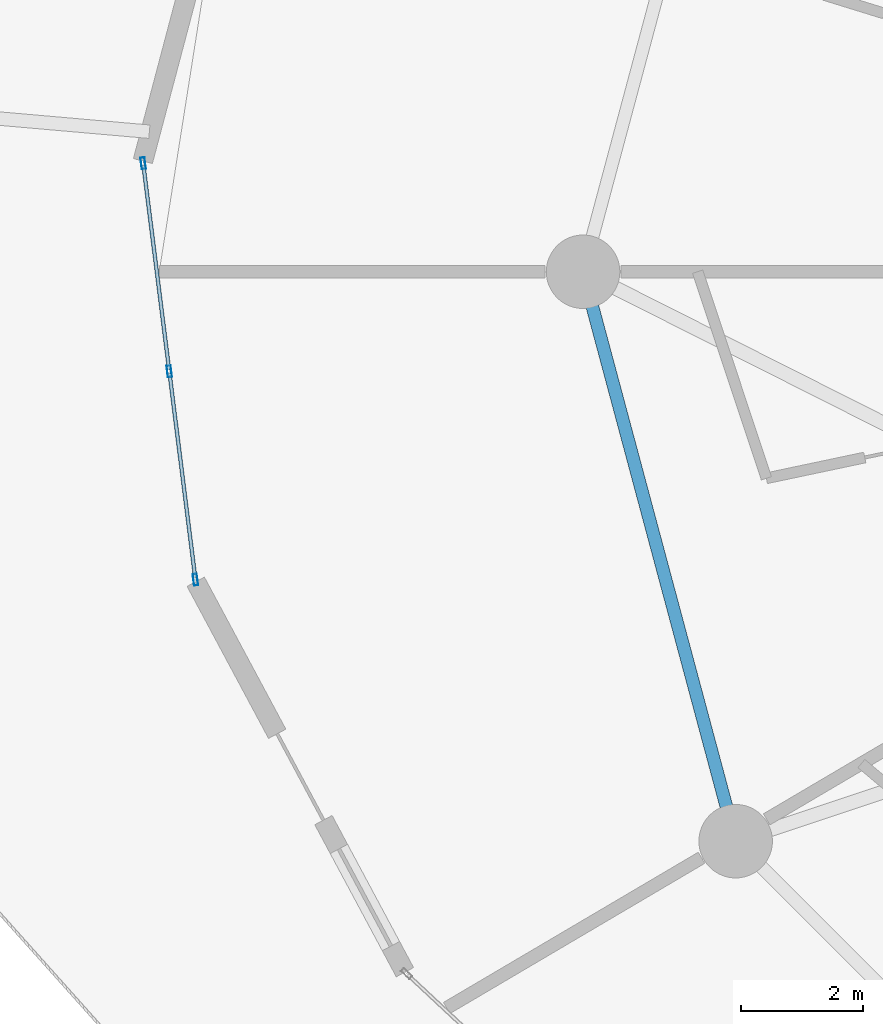
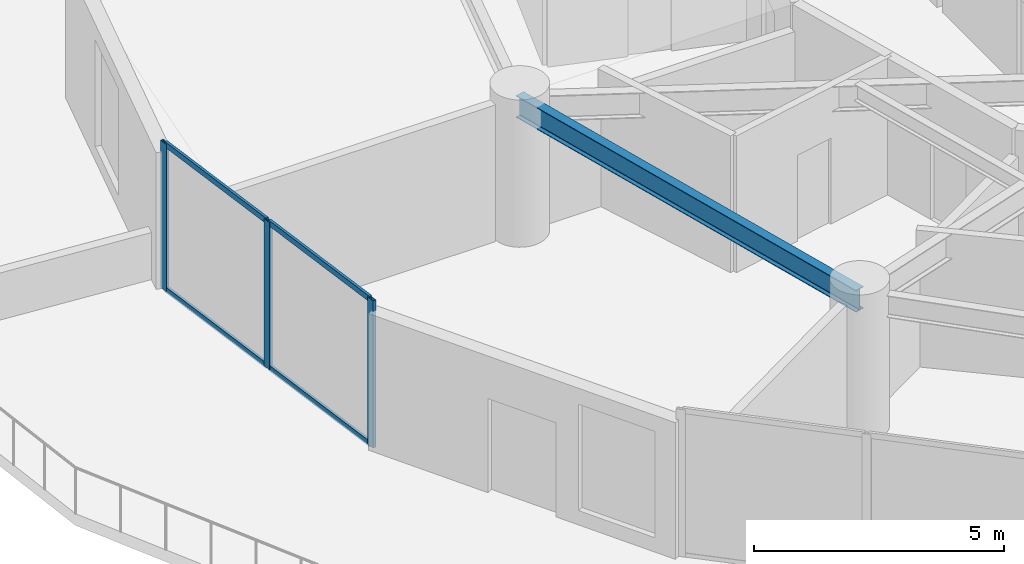
# One storey, part 5 of 25: 7 members, 1 beam, 1 element without a shape of its own.
"""IFC4 building model written with IfcOpenShell, lengths in metres."""

from ifc_helpers import new_model, si_unit, direction, frame, origin, origin_2d, place, context, subcontext, project, spatial, hollow_rectangle, i_section, extrude, source, transform, mapped, material, layer, layer_set, material_profile, profile_set, type_object, element, aggregate, save


model = new_model("IFC4")

# Units and contexts
model_context = context("Model", 3, precision=1e-05, world=origin(), true_north=direction((0.0, 1.0)))
body_context = subcontext(model_context, "Body", "Model", "MODEL_VIEW")
ifc_project = project(units=[si_unit("LENGTHUNIT", "METRE"), si_unit("AREAUNIT", "SQUARE_METRE"), si_unit("VOLUMEUNIT", "CUBIC_METRE"), si_unit("PLANEANGLEUNIT", "RADIAN"), si_unit("MASSUNIT", "GRAM", prefix="KILO")], contexts=[model_context])

# Site, building, storey
site_placement = place(None, origin())
site = spatial("IfcSite", under=ifc_project, at=site_placement, CompositionType="ELEMENT")
building_placement = place(site_placement, origin())
building = spatial("IfcBuilding", under=site, at=building_placement, Name="Solvirekh Grand Hotel", CompositionType="ELEMENT")
storey_placement = place(building_placement, frame((0.0, 0.0, 28.39990234375)))
storey = spatial("IfcBuildingStorey", under=building, at=storey_placement, Name="L05", CompositionType="ELEMENT", Elevation=28.39990234375)

# Beam
ifc_material_1 = material(Name="Steel S355", Category="steel")
ifc_material_profile_1 = material_profile(ifc_material_1, i_section(OverallWidth=0.208984375, OverallDepth=0.532958984375, WebThickness=0.010009765625, FlangeThickness=0.014892578125, FilletRadius=0.013916015625, at=origin_2d()), Name="W530X92")
ifc_profile_set_1 = profile_set([ifc_material_profile_1], Name="Steel S355")
beam_type = type_object("IfcBeamType", Name="Spandrel_Ring_W530", PredefinedType="SPANDREL", material=ifc_profile_set_1)
beam_placement = place(storey_placement, frame((-18.60009765625, 0.0, 3.072998046875), z_axis=(0.258842973314, -0.965919414426, 0.0), x_axis=(0.965919414426, 0.258842973314, 0.0)))
element("IfcBeam", 1, at=beam_placement, inside=storey, type_object=beam_type, Name="L05 perimeter spandrel beam 7", PredefinedType="SPANDREL", context=body_context, shape_type="SweptSolid", body=[
    extrude(i_section(OverallWidth=0.208984375, OverallDepth=0.532958984375, WebThickness=0.010009765625, FlangeThickness=0.014892578125, FilletRadius=0.013916015625, at=origin_2d()), origin(), (0.0, 0.0, 1.0), 9.628173828125),
])

# Curtain wall, members
ifc_material_2 = material(Name="Anodized Bronze Aluminium 6063-T6", Category="aluminium")
ifc_layer = layer(ifc_material_2, 0.18994140625)
ifc_layer_set = layer_set([ifc_layer], Name="Anodized Bronze Aluminium 6063-T6")
curtain_wall_type = type_object("IfcCurtainWallType", Name="CW_Sys2_LowZoneFlushBronzeCW", PredefinedType="NOTDEFINED", material=ifc_layer_set)
curtain_wall_placement = place(storey_placement, origin())
curtain_wall = element("IfcCurtainWall", 2, at=curtain_wall_placement, inside=storey, type_object=curtain_wall_type, Name="L05 unitised bronze-glass curtain wall CW-L05-C11", PredefinedType="NOTDEFINED")
ifc_material_profile_2 = material_profile(ifc_material_2, hollow_rectangle(XDim=0.070068359375, YDim=0.18994140625, WallThickness=0.0048828125, at=origin_2d()), Name="ALU RHS 190X70X5")
ifc_profile_set_2 = profile_set([ifc_material_profile_2], Name="Anodized Bronze Aluminium 6063-T6")
member_type_1 = type_object("IfcMemberType", Name="CWMullion_Sys2", PredefinedType="MULLION", material=ifc_profile_set_2)
shared_shape_1 = source(origin(), body_context, "Body", "SweptSolid", [
    extrude(hollow_rectangle(XDim=0.070068359375, YDim=0.18994140625, WallThickness=0.0048828125, at=origin_2d()), origin(), (0.0, 0.0, 1.0), 3.60009765625),
])
member_1_placement = place(storey_placement, frame((-25.78466796875, 1.773193359375, 0.0), z_axis=(0.0, 0.0, 1.0), x_axis=(0.992204390249, 0.124621217979, 0.0)))
member_1 = element("IfcMember", 3, at=member_1_placement, type_object=member_type_1, Name="U02 mullion 1", PredefinedType="MULLION", context=body_context, shape_type="MappedRepresentation", body=[
    mapped(shared_shape_1, transform((0.0, 0.0, 0.0), x_axis=(1.0, 0.0, 0.0), y_axis=(0.0, 1.0, 0.0), z_axis=(0.0, 0.0, 1.0), scale=1.0)),
])
member_2_placement = place(storey_placement, frame((-25.357421875, -1.62744140625, 0.0), z_axis=(0.0, 0.0, 1.0), x_axis=(0.992204390249, 0.124621217979, 0.0)))
member_2 = element("IfcMember", 4, at=member_2_placement, type_object=member_type_1, Name="U02 mullion 2", PredefinedType="MULLION", context=body_context, shape_type="MappedRepresentation", body=[
    mapped(shared_shape_1, transform((0.0, 0.0, 0.0), x_axis=(1.0, 0.0, 0.0), y_axis=(0.0, 1.0, 0.0), z_axis=(0.0, 0.0, 1.0), scale=1.0)),
])
member_3_placement = place(storey_placement, frame((-24.930419921875, -5.0283203125, 0.0), z_axis=(0.0, 0.0, 1.0), x_axis=(0.992204390249, 0.124621217979, 0.0)))
member_3 = element("IfcMember", 5, at=member_3_placement, type_object=member_type_1, Name="U02 mullion 3", PredefinedType="MULLION", context=body_context, shape_type="MappedRepresentation", body=[
    mapped(shared_shape_1, transform((0.0, 0.0, 0.0), x_axis=(1.0, 0.0, 0.0), y_axis=(0.0, 1.0, 0.0), z_axis=(0.0, 0.0, 1.0), scale=1.0)),
])
ifc_material_profile_3 = material_profile(ifc_material_2, hollow_rectangle(XDim=0.06005859375, YDim=0.135009765625, WallThickness=0.00390625, at=origin_2d()), Name="ALU RHS 135X60X4")
ifc_profile_set_3 = profile_set([ifc_material_profile_3], Name="Anodized Bronze Aluminium 6063-T6")
member_type_2 = type_object("IfcMemberType", Name="CWTransom_Sys2", PredefinedType="USERDEFINED", material=ifc_profile_set_3)
shared_shape_2 = source(origin(), body_context, "Body", "SweptSolid", [
    extrude(hollow_rectangle(XDim=0.06005859375, YDim=0.135009765625, WallThickness=0.00390625, at=origin_2d()), origin(), (0.0, 0.0, 1.0), 3.357421875),
])
member_4_placement = place(storey_placement, frame((-25.7802734375, 1.738525390625, 0.030029296875), z_axis=(0.124634334989, -0.99220274266, 0.0), x_axis=(0.99220274266, 0.124634334989, 0.0)))
member_4 = element("IfcMember", 6, at=member_4_placement, type_object=member_type_2, Name="U02 transom 1.1", ObjectType="TRANSOM", PredefinedType="USERDEFINED", context=body_context, shape_type="MappedRepresentation", body=[
    mapped(shared_shape_2, transform((0.0, 0.0, 0.0), x_axis=(1.0, 0.0, 0.0), y_axis=(0.0, 1.0, 0.0), z_axis=(0.0, 0.0, 1.0), scale=1.0)),
])
member_5_placement = place(storey_placement, frame((-25.7802734375, 1.738525390625, 3.570068359375), z_axis=(0.124634334989, -0.99220274266, 0.0), x_axis=(0.99220274266, 0.124634334989, 0.0)))
member_5 = element("IfcMember", 7, at=member_5_placement, type_object=member_type_2, Name="U02 transom 1.2", ObjectType="TRANSOM", PredefinedType="USERDEFINED", context=body_context, shape_type="MappedRepresentation", body=[
    mapped(shared_shape_2, transform((0.0, 0.0, 0.0), x_axis=(1.0, 0.0, 0.0), y_axis=(0.0, 1.0, 0.0), z_axis=(0.0, 0.0, 1.0), scale=1.0)),
])
shared_shape_3 = source(origin(), body_context, "Body", "SweptSolid", [
    extrude(hollow_rectangle(XDim=0.06005859375, YDim=0.135009765625, WallThickness=0.00390625, at=origin_2d()), origin(), (0.0, 0.0, 1.0), 3.357666015625),
])
member_6_placement = place(storey_placement, frame((-25.35302734375, -1.662109375, 0.030029296875), z_axis=(0.124553761541, -0.992212860472, 0.0), x_axis=(0.992212860472, 0.124553761541, 0.0)))
member_6 = element("IfcMember", 8, at=member_6_placement, type_object=member_type_2, Name="U02 transom 2.1", ObjectType="TRANSOM", PredefinedType="USERDEFINED", context=body_context, shape_type="MappedRepresentation", body=[
    mapped(shared_shape_3, transform((0.0, 0.0, 0.0), x_axis=(1.0, 0.0, 0.0), y_axis=(0.0, 1.0, 0.0), z_axis=(0.0, 0.0, 1.0), scale=1.0)),
])
member_7_placement = place(storey_placement, frame((-25.35302734375, -1.662109375, 3.570068359375), z_axis=(0.124553761541, -0.992212860472, 0.0), x_axis=(0.992212860472, 0.124553761541, 0.0)))
member_7 = element("IfcMember", 9, at=member_7_placement, type_object=member_type_2, Name="U02 transom 2.2", ObjectType="TRANSOM", PredefinedType="USERDEFINED", context=body_context, shape_type="MappedRepresentation", body=[
    mapped(shared_shape_3, transform((0.0, 0.0, 0.0), x_axis=(1.0, 0.0, 0.0), y_axis=(0.0, 1.0, 0.0), z_axis=(0.0, 0.0, 1.0), scale=1.0)),
])
aggregate(curtain_wall, [member_1, member_2, member_3, member_4, member_5, member_6, member_7])

save(model, "model.ifc")
